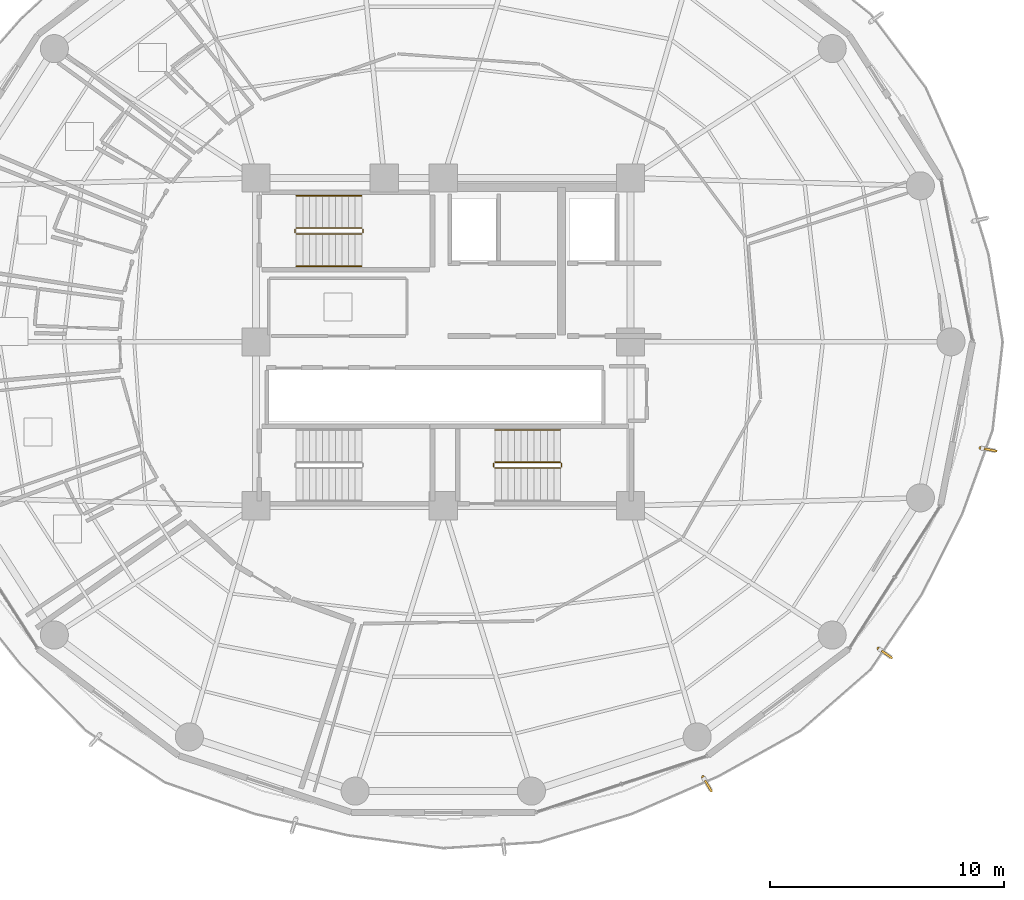
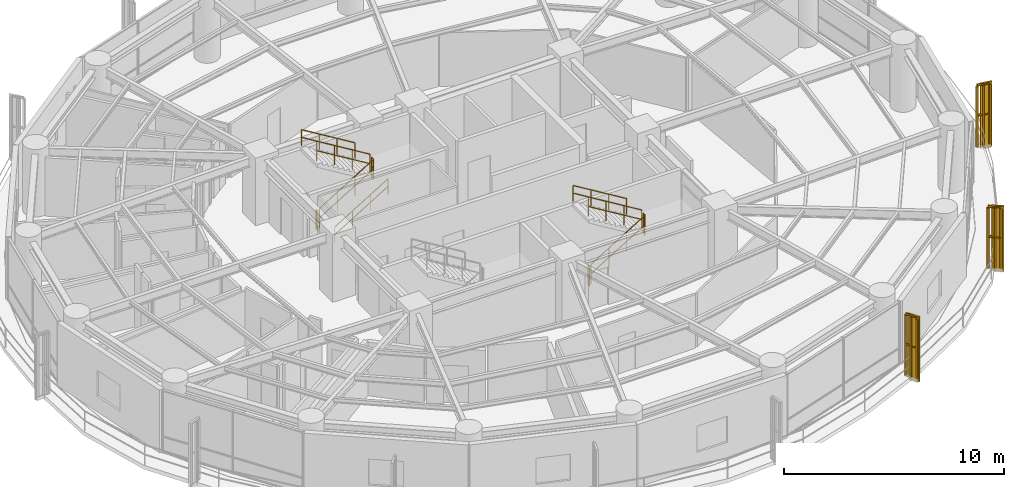
# One storey, part 26 of 27: 14 railings, 3 shading devices.
"""IFC4 building model written with IfcOpenShell, lengths in metres."""

from ifc_helpers import new_model, si_unit, direction, frame, origin, origin_2d, place, context, subcontext, project, spatial, polyline, rectangle, outline, extrude, source, transform, mapped, material, type_object, element, save


model = new_model("IFC4")

# Units and contexts
model_context = context("Model", 3, precision=1e-05, world=origin(), true_north=direction((0.0, 1.0)))
body_context = subcontext(model_context, "Body", "Model", "MODEL_VIEW")
ifc_project = project(units=[si_unit("LENGTHUNIT", "METRE"), si_unit("AREAUNIT", "SQUARE_METRE"), si_unit("VOLUMEUNIT", "CUBIC_METRE"), si_unit("PLANEANGLEUNIT", "RADIAN"), si_unit("MASSUNIT", "GRAM", prefix="KILO")], contexts=[model_context])

# Site, building, storey
site_placement = place(None, origin())
site = spatial("IfcSite", under=ifc_project, at=site_placement, CompositionType="ELEMENT")
building_placement = place(site_placement, origin())
building = spatial("IfcBuilding", under=site, at=building_placement, Name="Kelanora Arch Commons", CompositionType="ELEMENT")
storey_placement = place(building_placement, frame((0.0, 0.0, 169.35009765625)))
storey = spatial("IfcBuildingStorey", under=building, at=storey_placement, Name="L43", CompositionType="ELEMENT", Elevation=169.35009765625)

# Railings
ifc_material_1 = material(Name="Anodised bronze vertical shading fin rib assembly")
railing_type_1 = type_object("IfcRailingType", Name="RAIL-FIN-BRZ", PredefinedType="BALUSTRADE", material=ifc_material_1)
railing_1_placement = place(storey_placement, frame((96.9453125, 53.467529296875, -0.02001953125)))
element("IfcRailing", 1, at=railing_1_placement, inside=storey, type_object=railing_type_1, Name="Sweeping Bronze Vertical Fin Blade L43-00", PredefinedType="BALUSTRADE", context=body_context, shape_type="SweptSolid", body=[
    extrude(outline(polyline([(0.06982421875, 0.0), (0.034912109375, 0.060546875), (-0.034912109375, 0.060546875), (-0.06982421875, 0.0), (-0.034912109375, -0.060546875), (0.034912109375, -0.060546875), (0.06982421875, 0.0)])), frame((0.0, 0.0, 3.419921875), z_axis=(0.981019679847, -0.193908194136, 0.0), x_axis=(0.193908194136, 0.981019679847, 0.0)), (0.0, 0.0, 1.0), 0.595458984375),
    extrude(outline(polyline([(0.06982421875, 0.0), (0.034912109375, 0.060546875), (-0.034912109375, 0.060546875), (-0.06982421875, 0.0), (-0.034912109375, -0.060546875), (0.034912109375, -0.060546875), (0.06982421875, 0.0)])), frame((0.0, 0.0, 1.7451171875), z_axis=(0.981019679847, -0.193908194136, 0.0), x_axis=(0.193908194136, 0.981019679847, 0.0)), (0.0, 0.0, 1.0), 0.595458984375),
    extrude(outline(polyline([(0.080078125, 0.0), (0.0400390625, 0.0693359375), (-0.0400390625, 0.0693359375), (-0.080078125, 0.0), (-0.0400390625, -0.0693359375), (0.0400390625, -0.0693359375), (0.080078125, 0.0)])), origin(), (0.0, 0.0, 1.0), 3.35009765625),
    extrude(outline(polyline([(0.080078125, 0.0), (0.0400390625, 0.0693359375), (-0.0400390625, 0.0693359375), (-0.080078125, 0.0), (-0.0400390625, -0.0693359375), (0.0400390625, -0.0693359375), (0.080078125, 0.0)])), frame((0.2919921875, -0.0576171875, 0.0)), (0.0, 0.0, 1.0), 3.35009765625),
    extrude(outline(polyline([(0.080078125, 0.0), (0.0400390625, 0.0693359375), (-0.0400390625, 0.0693359375), (-0.080078125, 0.0), (-0.0400390625, -0.0693359375), (0.0400390625, -0.0693359375), (0.080078125, 0.0)])), frame((0.584228515625, -0.115478515625, 0.0)), (0.0, 0.0, 1.0), 3.35009765625),
])
railing_2_placement = place(storey_placement, frame((85.09619140625, 39.4052734375, -0.02001953125)))
element("IfcRailing", 2, at=railing_2_placement, inside=storey, type_object=railing_type_1, Name="Sweeping Bronze Vertical Fin Blade L43-13", PredefinedType="BALUSTRADE", context=body_context, shape_type="SweptSolid", body=[
    extrude(outline(polyline([(0.06982421875, 0.0), (0.034912109375, 0.060546875), (-0.034912109375, 0.060546875), (-0.06982421875, 0.0), (-0.034912109375, -0.060546875), (0.034912109375, -0.060546875), (0.06982421875, 0.0)])), frame((0.0, 0.0, 3.419921875), z_axis=(0.512384380059, -0.85875622098, 0.0), x_axis=(0.85875622098, 0.512384380059, 0.0)), (0.0, 0.0, 1.0), 0.595703125),
    extrude(outline(polyline([(0.06982421875, 0.0), (0.034912109375, 0.060546875), (-0.034912109375, 0.060546875), (-0.06982421875, 0.0), (-0.034912109375, -0.060546875), (0.034912109375, -0.060546875), (0.06982421875, 0.0)])), frame((0.0, 0.0, 1.7451171875), z_axis=(0.512384380059, -0.85875622098, 0.0), x_axis=(0.85875622098, 0.512384380059, 0.0)), (0.0, 0.0, 1.0), 0.595703125),
    extrude(outline(polyline([(0.080078125, 0.0), (0.0400390625, 0.0693359375), (-0.0400390625, 0.0693359375), (-0.080078125, 0.0), (-0.0400390625, -0.0693359375), (0.0400390625, -0.0693359375), (0.080078125, 0.0)])), origin(), (0.0, 0.0, 1.0), 3.35009765625),
    extrude(outline(polyline([(0.080078125, 0.0), (0.0400390625, 0.0693359375), (-0.0400390625, 0.0693359375), (-0.080078125, 0.0), (-0.0400390625, -0.0693359375), (0.0400390625, -0.0693359375), (0.080078125, 0.0)])), frame((0.152587890625, -0.255859375, 0.0)), (0.0, 0.0, 1.0), 3.35009765625),
    extrude(outline(polyline([(0.080078125, 0.0), (0.0400390625, 0.0693359375), (-0.0400390625, 0.0693359375), (-0.080078125, 0.0), (-0.0400390625, -0.0693359375), (0.0400390625, -0.0693359375), (0.080078125, 0.0)])), frame((0.30517578125, -0.511474609375, 0.0)), (0.0, 0.0, 1.0), 3.35009765625),
])
railing_3_placement = place(storey_placement, frame((92.588134765625, 44.900146484375, -0.02001953125)))
element("IfcRailing", 3, at=railing_3_placement, inside=storey, type_object=railing_type_1, Name="Sweeping Bronze Vertical Fin Blade L43-14", PredefinedType="BALUSTRADE", context=body_context, shape_type="SweptSolid", body=[
    extrude(outline(polyline([(0.06982421875, 0.0), (0.034912109375, 0.060546875), (-0.034912109375, 0.060546875), (-0.06982421875, 0.0), (-0.034912109375, -0.060546875), (0.034912109375, -0.060546875), (0.06982421875, 0.0)])), frame((0.0, 0.0, 3.419921875), z_axis=(0.817320032898, -0.576183966996, 0.0), x_axis=(0.576183966996, 0.817320032898, 0.0)), (0.0, 0.0, 1.0), 0.59521484375),
    extrude(outline(polyline([(0.06982421875, 0.0), (0.034912109375, 0.060546875), (-0.034912109375, 0.060546875), (-0.06982421875, 0.0), (-0.034912109375, -0.060546875), (0.034912109375, -0.060546875), (0.06982421875, 0.0)])), frame((0.0, 0.0, 1.7451171875), z_axis=(0.817320032898, -0.576183966996, 0.0), x_axis=(0.576183966996, 0.817320032898, 0.0)), (0.0, 0.0, 1.0), 0.59521484375),
    extrude(outline(polyline([(0.080078125, 0.0), (0.0400390625, 0.0693359375), (-0.0400390625, 0.0693359375), (-0.080078125, 0.0), (-0.0400390625, -0.0693359375), (0.0400390625, -0.0693359375), (0.080078125, 0.0)])), origin(), (0.0, 0.0, 1.0), 3.35009765625),
    extrude(outline(polyline([(0.080078125, 0.0), (0.0400390625, 0.0693359375), (-0.0400390625, 0.0693359375), (-0.080078125, 0.0), (-0.0400390625, -0.0693359375), (0.0400390625, -0.0693359375), (0.080078125, 0.0)])), frame((0.2431640625, -0.17138671875, 0.0)), (0.0, 0.0, 1.0), 3.35009765625),
    extrude(outline(polyline([(0.080078125, 0.0), (0.0400390625, 0.0693359375), (-0.0400390625, 0.0693359375), (-0.080078125, 0.0), (-0.0400390625, -0.0693359375), (0.0400390625, -0.0693359375), (0.080078125, 0.0)])), frame((0.486572265625, -0.343017578125, 0.0)), (0.0, 0.0, 1.0), 3.35009765625),
])
ifc_material_2 = material(Name="Painted steel stair well guard", Category="steel")
railing_type_2 = type_object("IfcRailingType", Name="RAIL-STAIR-GRD", PredefinedType="GUARDRAIL", material=ifc_material_2)
railing_4_placement = place(storey_placement, frame((67.719970703125, 62.610107421875, 0.17041015625)))
element("IfcRailing", 4, at=railing_4_placement, inside=storey, type_object=railing_type_2, Name="L43 ST-T1 stair guard 1", PredefinedType="GUARDRAIL", context=body_context, shape_type="SweptSolid", body=[
    extrude(outline(polyline([(0.02392578125, 0.0), (0.011962890625, 0.020751953125), (-0.011962890625, 0.020751953125), (-0.02392578125, 0.0), (-0.011962890625, -0.020751953125), (0.011962890625, -0.020751953125), (0.02392578125, 0.0)])), frame((0.0, 0.0, 1.076171875), z_axis=(0.854169791009, 0.0, 0.51999420009), x_axis=(0.0, 1.0, 0.0)), (0.0, 0.0, 1.0), 3.278076171875),
    extrude(outline(polyline([(0.02392578125, 0.0), (0.011962890625, 0.020751953125), (-0.011962890625, 0.020751953125), (-0.02392578125, 0.0), (-0.011962890625, -0.020751953125), (0.011962890625, -0.020751953125), (0.02392578125, 0.0)])), frame((0.0, 0.0, 0.550048828125), z_axis=(0.854169791009, 0.0, 0.51999420009), x_axis=(0.0, 1.0, 0.0)), (0.0, 0.0, 1.0), 3.278076171875),
    extrude(outline(polyline([(0.02099609375, 0.0), (0.010498046875, 0.01806640625), (-0.010498046875, 0.01806640625), (-0.02099609375, 0.0), (-0.010498046875, -0.01806640625), (0.010498046875, -0.01806640625), (0.02099609375, 0.0)])), origin(), (0.0, 0.0, 1.0), 1.052001953125),
    extrude(outline(polyline([(0.02099609375, 0.0), (0.010498046875, 0.01806640625), (-0.010498046875, 0.01806640625), (-0.02099609375, 0.0), (-0.010498046875, -0.01806640625), (0.010498046875, -0.01806640625), (0.02099609375, 0.0)])), frame((0.933349609375, 0.0, 0.568115234375)), (0.0, 0.0, 1.0), 1.052001953125),
    extrude(outline(polyline([(0.02099609375, 0.0), (0.010498046875, 0.01806640625), (-0.010498046875, 0.01806640625), (-0.02099609375, 0.0), (-0.010498046875, -0.01806640625), (0.010498046875, -0.01806640625), (0.02099609375, 0.0)])), frame((1.86669921875, 0.0, 1.136474609375)), (0.0, 0.0, 1.0), 1.052001953125),
    extrude(outline(polyline([(0.02099609375, 0.0), (0.010498046875, 0.01806640625), (-0.010498046875, 0.01806640625), (-0.02099609375, 0.0), (-0.010498046875, -0.01806640625), (0.010498046875, -0.01806640625), (0.02099609375, 0.0)])), frame((2.800048828125, 0.0, 1.70458984375)), (0.0, 0.0, 1.0), 1.052001953125),
])
railing_5_placement = place(storey_placement, frame((70.570068359375, 62.659912109375, 1.875)))
element("IfcRailing", 5, at=railing_5_placement, inside=storey, type_object=railing_type_2, Name="L43 ST-T1 stair guard 2", PredefinedType="GUARDRAIL", context=body_context, shape_type="SweptSolid", body=[
    extrude(outline(polyline([(0.02392578125, 0.0), (0.011962890625, 0.020751953125), (-0.011962890625, 0.020751953125), (-0.02392578125, 0.0), (-0.011962890625, -0.020751953125), (0.011962890625, -0.020751953125), (0.02392578125, 0.0)])), frame((0.0, 0.0, 1.076171875), z_axis=(0.0, 1.0, 0.0), x_axis=(-1.0, 0.0, 0.0)), (0.0, 0.0, 1.0), 0.150146484375),
    extrude(outline(polyline([(0.02392578125, 0.0), (0.011962890625, 0.020751953125), (-0.011962890625, 0.020751953125), (-0.02392578125, 0.0), (-0.011962890625, -0.020751953125), (0.011962890625, -0.020751953125), (0.02392578125, 0.0)])), frame((0.0, 0.0, 0.550048828125), z_axis=(0.0, 1.0, 0.0), x_axis=(-1.0, 0.0, 0.0)), (0.0, 0.0, 1.0), 0.150146484375),
    extrude(outline(polyline([(0.02099609375, 0.0), (0.010498046875, 0.01806640625), (-0.010498046875, 0.01806640625), (-0.02099609375, 0.0), (-0.010498046875, -0.01806640625), (0.010498046875, -0.01806640625), (0.02099609375, 0.0)])), origin(), (0.0, 0.0, 1.0), 1.052001953125),
    extrude(outline(polyline([(0.02099609375, 0.0), (0.010498046875, 0.01806640625), (-0.010498046875, 0.01806640625), (-0.02099609375, 0.0), (-0.010498046875, -0.01806640625), (0.010498046875, -0.01806640625), (0.02099609375, 0.0)])), frame((0.0, 0.150146484375, 0.0)), (0.0, 0.0, 1.0), 1.052001953125),
])
railing_6_placement = place(storey_placement, frame((70.52001953125, 62.860107421875, 2.04541015625)))
element("IfcRailing", 6, at=railing_6_placement, inside=storey, type_object=railing_type_2, Name="L43 ST-T1 stair guard 3", PredefinedType="GUARDRAIL", context=body_context, shape_type="SweptSolid", body=[
    extrude(outline(polyline([(0.02392578125, 0.0), (0.011962890625, 0.020751953125), (-0.011962890625, 0.020751953125), (-0.02392578125, 0.0), (-0.011962890625, -0.020751953125), (0.011962890625, -0.020751953125), (0.02392578125, 0.0)])), frame((0.0, 0.0, 1.076171875), z_axis=(-0.854169791009, 0.0, 0.51999420009), x_axis=(0.0, -1.0, 0.0)), (0.0, 0.0, 1.0), 3.278076171875),
    extrude(outline(polyline([(0.02392578125, 0.0), (0.011962890625, 0.020751953125), (-0.011962890625, 0.020751953125), (-0.02392578125, 0.0), (-0.011962890625, -0.020751953125), (0.011962890625, -0.020751953125), (0.02392578125, 0.0)])), frame((0.0, 0.0, 0.550048828125), z_axis=(-0.854169791009, 0.0, 0.51999420009), x_axis=(0.0, -1.0, 0.0)), (0.0, 0.0, 1.0), 3.278076171875),
    extrude(outline(polyline([(0.02099609375, 0.0), (0.010498046875, 0.01806640625), (-0.010498046875, 0.01806640625), (-0.02099609375, 0.0), (-0.010498046875, -0.01806640625), (0.010498046875, -0.01806640625), (0.02099609375, 0.0)])), origin(), (0.0, 0.0, 1.0), 1.052001953125),
    extrude(outline(polyline([(0.02099609375, 0.0), (0.010498046875, 0.01806640625), (-0.010498046875, 0.01806640625), (-0.02099609375, 0.0), (-0.010498046875, -0.01806640625), (0.010498046875, -0.01806640625), (0.02099609375, 0.0)])), frame((-0.933349609375, 0.0, 0.568115234375)), (0.0, 0.0, 1.0), 1.052001953125),
    extrude(outline(polyline([(0.02099609375, 0.0), (0.010498046875, 0.01806640625), (-0.010498046875, 0.01806640625), (-0.02099609375, 0.0), (-0.010498046875, -0.01806640625), (0.010498046875, -0.01806640625), (0.02099609375, 0.0)])), frame((-1.86669921875, 0.0, 1.136474609375)), (0.0, 0.0, 1.0), 1.052001953125),
    extrude(outline(polyline([(0.02099609375, 0.0), (0.010498046875, 0.01806640625), (-0.010498046875, 0.01806640625), (-0.02099609375, 0.0), (-0.010498046875, -0.01806640625), (0.010498046875, -0.01806640625), (0.02099609375, 0.0)])), frame((-2.800048828125, 0.0, 1.70458984375)), (0.0, 0.0, 1.0), 1.052001953125),
])
railing_7_placement = place(storey_placement, frame((67.669921875, 62.659912109375, 0.0)))
element("IfcRailing", 7, at=railing_7_placement, inside=storey, type_object=railing_type_2, Name="L43 ST-T1 stair guard 4", PredefinedType="GUARDRAIL", context=body_context, shape_type="SweptSolid", body=[
    extrude(outline(polyline([(0.02392578125, 0.0), (0.011962890625, 0.020751953125), (-0.011962890625, 0.020751953125), (-0.02392578125, 0.0), (-0.011962890625, -0.020751953125), (0.011962890625, -0.020751953125), (0.02392578125, 0.0)])), frame((0.0, 0.0, 1.076171875), z_axis=(0.0, 1.0, 0.0), x_axis=(-1.0, 0.0, 0.0)), (0.0, 0.0, 1.0), 0.150146484375),
    extrude(outline(polyline([(0.02392578125, 0.0), (0.011962890625, 0.020751953125), (-0.011962890625, 0.020751953125), (-0.02392578125, 0.0), (-0.011962890625, -0.020751953125), (0.011962890625, -0.020751953125), (0.02392578125, 0.0)])), frame((0.0, 0.0, 0.550048828125), z_axis=(0.0, 1.0, 0.0), x_axis=(-1.0, 0.0, 0.0)), (0.0, 0.0, 1.0), 0.150146484375),
    extrude(outline(polyline([(0.02099609375, 0.0), (0.010498046875, 0.01806640625), (-0.010498046875, 0.01806640625), (-0.02099609375, 0.0), (-0.010498046875, -0.01806640625), (0.010498046875, -0.01806640625), (0.02099609375, 0.0)])), origin(), (0.0, 0.0, 1.0), 1.052001953125),
    extrude(outline(polyline([(0.02099609375, 0.0), (0.010498046875, 0.01806640625), (-0.010498046875, 0.01806640625), (-0.02099609375, 0.0), (-0.010498046875, -0.01806640625), (0.010498046875, -0.01806640625), (0.02099609375, 0.0)])), frame((0.0, 0.150146484375, 0.0)), (0.0, 0.0, 1.0), 1.052001953125),
])
railing_8_placement = place(storey_placement, frame((76.199951171875, 52.610107421875, 0.17041015625)))
element("IfcRailing", 8, at=railing_8_placement, inside=storey, type_object=railing_type_2, Name="L43 ST-T2 stair guard 1", PredefinedType="GUARDRAIL", context=body_context, shape_type="SweptSolid", body=[
    extrude(outline(polyline([(0.02392578125, 0.0), (0.011962890625, 0.020751953125), (-0.011962890625, 0.020751953125), (-0.02392578125, 0.0), (-0.011962890625, -0.020751953125), (0.011962890625, -0.020751953125), (0.02392578125, 0.0)])), frame((0.0, 0.0, 1.076171875), z_axis=(0.854169791009, 0.0, 0.51999420009), x_axis=(0.0, 1.0, 0.0)), (0.0, 0.0, 1.0), 3.278076171875),
    extrude(outline(polyline([(0.02392578125, 0.0), (0.011962890625, 0.020751953125), (-0.011962890625, 0.020751953125), (-0.02392578125, 0.0), (-0.011962890625, -0.020751953125), (0.011962890625, -0.020751953125), (0.02392578125, 0.0)])), frame((0.0, 0.0, 0.550048828125), z_axis=(0.854169791009, 0.0, 0.51999420009), x_axis=(0.0, 1.0, 0.0)), (0.0, 0.0, 1.0), 3.278076171875),
    extrude(outline(polyline([(0.02099609375, 0.0), (0.010498046875, 0.01806640625), (-0.010498046875, 0.01806640625), (-0.02099609375, 0.0), (-0.010498046875, -0.01806640625), (0.010498046875, -0.01806640625), (0.02099609375, 0.0)])), origin(), (0.0, 0.0, 1.0), 1.052001953125),
    extrude(outline(polyline([(0.02099609375, 0.0), (0.010498046875, 0.01806640625), (-0.010498046875, 0.01806640625), (-0.02099609375, 0.0), (-0.010498046875, -0.01806640625), (0.010498046875, -0.01806640625), (0.02099609375, 0.0)])), frame((0.933349609375, 0.0, 0.568115234375)), (0.0, 0.0, 1.0), 1.052001953125),
    extrude(outline(polyline([(0.02099609375, 0.0), (0.010498046875, 0.01806640625), (-0.010498046875, 0.01806640625), (-0.02099609375, 0.0), (-0.010498046875, -0.01806640625), (0.010498046875, -0.01806640625), (0.02099609375, 0.0)])), frame((1.86669921875, 0.0, 1.136474609375)), (0.0, 0.0, 1.0), 1.052001953125),
    extrude(outline(polyline([(0.02099609375, 0.0), (0.010498046875, 0.01806640625), (-0.010498046875, 0.01806640625), (-0.02099609375, 0.0), (-0.010498046875, -0.01806640625), (0.010498046875, -0.01806640625), (0.02099609375, 0.0)])), frame((2.800048828125, 0.0, 1.70458984375)), (0.0, 0.0, 1.0), 1.052001953125),
])
railing_9_placement = place(storey_placement, frame((79.050048828125, 52.659912109375, 1.875)))
element("IfcRailing", 9, at=railing_9_placement, inside=storey, type_object=railing_type_2, Name="L43 ST-T2 stair guard 2", PredefinedType="GUARDRAIL", context=body_context, shape_type="SweptSolid", body=[
    extrude(outline(polyline([(0.02392578125, 0.0), (0.011962890625, 0.020751953125), (-0.011962890625, 0.020751953125), (-0.02392578125, 0.0), (-0.011962890625, -0.020751953125), (0.011962890625, -0.020751953125), (0.02392578125, 0.0)])), frame((0.0, 0.0, 1.076171875), z_axis=(0.0, 1.0, 0.0), x_axis=(-1.0, 0.0, 0.0)), (0.0, 0.0, 1.0), 0.150146484375),
    extrude(outline(polyline([(0.02392578125, 0.0), (0.011962890625, 0.020751953125), (-0.011962890625, 0.020751953125), (-0.02392578125, 0.0), (-0.011962890625, -0.020751953125), (0.011962890625, -0.020751953125), (0.02392578125, 0.0)])), frame((0.0, 0.0, 0.550048828125), z_axis=(0.0, 1.0, 0.0), x_axis=(-1.0, 0.0, 0.0)), (0.0, 0.0, 1.0), 0.150146484375),
    extrude(outline(polyline([(0.02099609375, 0.0), (0.010498046875, 0.01806640625), (-0.010498046875, 0.01806640625), (-0.02099609375, 0.0), (-0.010498046875, -0.01806640625), (0.010498046875, -0.01806640625), (0.02099609375, 0.0)])), origin(), (0.0, 0.0, 1.0), 1.052001953125),
    extrude(outline(polyline([(0.02099609375, 0.0), (0.010498046875, 0.01806640625), (-0.010498046875, 0.01806640625), (-0.02099609375, 0.0), (-0.010498046875, -0.01806640625), (0.010498046875, -0.01806640625), (0.02099609375, 0.0)])), frame((0.0, 0.150146484375, 0.0)), (0.0, 0.0, 1.0), 1.052001953125),
])
railing_10_placement = place(storey_placement, frame((79.0, 52.860107421875, 2.04541015625)))
element("IfcRailing", 10, at=railing_10_placement, inside=storey, type_object=railing_type_2, Name="L43 ST-T2 stair guard 3", PredefinedType="GUARDRAIL", context=body_context, shape_type="SweptSolid", body=[
    extrude(outline(polyline([(0.02392578125, 0.0), (0.011962890625, 0.020751953125), (-0.011962890625, 0.020751953125), (-0.02392578125, 0.0), (-0.011962890625, -0.020751953125), (0.011962890625, -0.020751953125), (0.02392578125, 0.0)])), frame((0.0, 0.0, 1.076171875), z_axis=(-0.854169791009, 0.0, 0.51999420009), x_axis=(0.0, -1.0, 0.0)), (0.0, 0.0, 1.0), 3.278076171875),
    extrude(outline(polyline([(0.02392578125, 0.0), (0.011962890625, 0.020751953125), (-0.011962890625, 0.020751953125), (-0.02392578125, 0.0), (-0.011962890625, -0.020751953125), (0.011962890625, -0.020751953125), (0.02392578125, 0.0)])), frame((0.0, 0.0, 0.550048828125), z_axis=(-0.854169791009, 0.0, 0.51999420009), x_axis=(0.0, -1.0, 0.0)), (0.0, 0.0, 1.0), 3.278076171875),
    extrude(outline(polyline([(0.02099609375, 0.0), (0.010498046875, 0.01806640625), (-0.010498046875, 0.01806640625), (-0.02099609375, 0.0), (-0.010498046875, -0.01806640625), (0.010498046875, -0.01806640625), (0.02099609375, 0.0)])), origin(), (0.0, 0.0, 1.0), 1.052001953125),
    extrude(outline(polyline([(0.02099609375, 0.0), (0.010498046875, 0.01806640625), (-0.010498046875, 0.01806640625), (-0.02099609375, 0.0), (-0.010498046875, -0.01806640625), (0.010498046875, -0.01806640625), (0.02099609375, 0.0)])), frame((-0.933349609375, 0.0, 0.568115234375)), (0.0, 0.0, 1.0), 1.052001953125),
    extrude(outline(polyline([(0.02099609375, 0.0), (0.010498046875, 0.01806640625), (-0.010498046875, 0.01806640625), (-0.02099609375, 0.0), (-0.010498046875, -0.01806640625), (0.010498046875, -0.01806640625), (0.02099609375, 0.0)])), frame((-1.86669921875, 0.0, 1.136474609375)), (0.0, 0.0, 1.0), 1.052001953125),
    extrude(outline(polyline([(0.02099609375, 0.0), (0.010498046875, 0.01806640625), (-0.010498046875, 0.01806640625), (-0.02099609375, 0.0), (-0.010498046875, -0.01806640625), (0.010498046875, -0.01806640625), (0.02099609375, 0.0)])), frame((-2.800048828125, 0.0, 1.70458984375)), (0.0, 0.0, 1.0), 1.052001953125),
])
railing_11_placement = place(storey_placement, frame((76.14990234375, 52.659912109375, 0.0)))
element("IfcRailing", 11, at=railing_11_placement, inside=storey, type_object=railing_type_2, Name="L43 ST-T2 stair guard 4", PredefinedType="GUARDRAIL", context=body_context, shape_type="SweptSolid", body=[
    extrude(outline(polyline([(0.02392578125, 0.0), (0.011962890625, 0.020751953125), (-0.011962890625, 0.020751953125), (-0.02392578125, 0.0), (-0.011962890625, -0.020751953125), (0.011962890625, -0.020751953125), (0.02392578125, 0.0)])), frame((0.0, 0.0, 1.076171875), z_axis=(0.0, 1.0, 0.0), x_axis=(-1.0, 0.0, 0.0)), (0.0, 0.0, 1.0), 0.150146484375),
    extrude(outline(polyline([(0.02392578125, 0.0), (0.011962890625, 0.020751953125), (-0.011962890625, 0.020751953125), (-0.02392578125, 0.0), (-0.011962890625, -0.020751953125), (0.011962890625, -0.020751953125), (0.02392578125, 0.0)])), frame((0.0, 0.0, 0.550048828125), z_axis=(0.0, 1.0, 0.0), x_axis=(-1.0, 0.0, 0.0)), (0.0, 0.0, 1.0), 0.150146484375),
    extrude(outline(polyline([(0.02099609375, 0.0), (0.010498046875, 0.01806640625), (-0.010498046875, 0.01806640625), (-0.02099609375, 0.0), (-0.010498046875, -0.01806640625), (0.010498046875, -0.01806640625), (0.02099609375, 0.0)])), origin(), (0.0, 0.0, 1.0), 1.052001953125),
    extrude(outline(polyline([(0.02099609375, 0.0), (0.010498046875, 0.01806640625), (-0.010498046875, 0.01806640625), (-0.02099609375, 0.0), (-0.010498046875, -0.01806640625), (0.010498046875, -0.01806640625), (0.02099609375, 0.0)])), frame((0.0, 0.150146484375, 0.0)), (0.0, 0.0, 1.0), 1.052001953125),
])
ifc_material_3 = material(Name="Brushed stainless steel stair handrail", Category="steel")
railing_type_3 = type_object("IfcRailingType", Name="RAIL-STAIR-HND", PredefinedType="HANDRAIL", material=ifc_material_3)
railing_12_placement = place(storey_placement, frame((67.719970703125, 61.22998046875, 0.17041015625)))
element("IfcRailing", 12, at=railing_12_placement, inside=storey, type_object=railing_type_3, Name="L43 ST-T1 stair handrail 1", PredefinedType="HANDRAIL", context=body_context, shape_type="SweptSolid", body=[
    extrude(outline(polyline([(0.02392578125, 0.0), (0.011962890625, 0.020751953125), (-0.011962890625, 0.020751953125), (-0.02392578125, 0.0), (-0.011962890625, -0.020751953125), (0.011962890625, -0.020751953125), (0.02392578125, 0.0)])), frame((0.0, 0.0, 0.8759765625), z_axis=(0.854169791009, 0.0, 0.51999420009), x_axis=(0.0, 1.0, 0.0)), (0.0, 0.0, 1.0), 3.278076171875),
    extrude(outline(polyline([(0.02392578125, 0.0), (0.011962890625, 0.020751953125), (-0.011962890625, 0.020751953125), (-0.02392578125, 0.0), (-0.011962890625, -0.020751953125), (0.011962890625, -0.020751953125), (0.02392578125, 0.0)])), frame((0.0, 0.0, 0.449951171875), z_axis=(0.854169791009, 0.0, 0.51999420009), x_axis=(0.0, 1.0, 0.0)), (0.0, 0.0, 1.0), 3.278076171875),
    extrude(outline(polyline([(0.02099609375, 0.0), (0.010498046875, 0.01806640625), (-0.010498046875, 0.01806640625), (-0.02099609375, 0.0), (-0.010498046875, -0.01806640625), (0.010498046875, -0.01806640625), (0.02099609375, 0.0)])), origin(), (0.0, 0.0, 1.0), 0.851806640625),
    extrude(outline(polyline([(0.02099609375, 0.0), (0.010498046875, 0.01806640625), (-0.010498046875, 0.01806640625), (-0.02099609375, 0.0), (-0.010498046875, -0.01806640625), (0.010498046875, -0.01806640625), (0.02099609375, 0.0)])), frame((0.933349609375, 0.0, 0.568115234375)), (0.0, 0.0, 1.0), 0.851806640625),
    extrude(outline(polyline([(0.02099609375, 0.0), (0.010498046875, 0.01806640625), (-0.010498046875, 0.01806640625), (-0.02099609375, 0.0), (-0.010498046875, -0.01806640625), (0.010498046875, -0.01806640625), (0.02099609375, 0.0)])), frame((1.86669921875, 0.0, 1.136474609375)), (0.0, 0.0, 1.0), 0.851806640625),
    extrude(outline(polyline([(0.02099609375, 0.0), (0.010498046875, 0.01806640625), (-0.010498046875, 0.01806640625), (-0.02099609375, 0.0), (-0.010498046875, -0.01806640625), (0.010498046875, -0.01806640625), (0.02099609375, 0.0)])), frame((2.800048828125, 0.0, 1.70458984375)), (0.0, 0.0, 1.0), 0.851806640625),
])
railing_13_placement = place(storey_placement, frame((70.52001953125, 64.239990234375, 2.04541015625)))
element("IfcRailing", 13, at=railing_13_placement, inside=storey, type_object=railing_type_3, Name="L43 ST-T1 stair handrail 2", PredefinedType="HANDRAIL", context=body_context, shape_type="SweptSolid", body=[
    extrude(outline(polyline([(0.02392578125, 0.0), (0.011962890625, 0.020751953125), (-0.011962890625, 0.020751953125), (-0.02392578125, 0.0), (-0.011962890625, -0.020751953125), (0.011962890625, -0.020751953125), (0.02392578125, 0.0)])), frame((0.0, 0.0, 0.8759765625), z_axis=(-0.854169791009, 0.0, 0.51999420009), x_axis=(0.0, -1.0, 0.0)), (0.0, 0.0, 1.0), 3.278076171875),
    extrude(outline(polyline([(0.02392578125, 0.0), (0.011962890625, 0.020751953125), (-0.011962890625, 0.020751953125), (-0.02392578125, 0.0), (-0.011962890625, -0.020751953125), (0.011962890625, -0.020751953125), (0.02392578125, 0.0)])), frame((0.0, 0.0, 0.449951171875), z_axis=(-0.854169791009, 0.0, 0.51999420009), x_axis=(0.0, -1.0, 0.0)), (0.0, 0.0, 1.0), 3.278076171875),
    extrude(outline(polyline([(0.02099609375, 0.0), (0.010498046875, 0.01806640625), (-0.010498046875, 0.01806640625), (-0.02099609375, 0.0), (-0.010498046875, -0.01806640625), (0.010498046875, -0.01806640625), (0.02099609375, 0.0)])), origin(), (0.0, 0.0, 1.0), 0.851806640625),
    extrude(outline(polyline([(0.02099609375, 0.0), (0.010498046875, 0.01806640625), (-0.010498046875, 0.01806640625), (-0.02099609375, 0.0), (-0.010498046875, -0.01806640625), (0.010498046875, -0.01806640625), (0.02099609375, 0.0)])), frame((-0.933349609375, 0.0, 0.568115234375)), (0.0, 0.0, 1.0), 0.851806640625),
    extrude(outline(polyline([(0.02099609375, 0.0), (0.010498046875, 0.01806640625), (-0.010498046875, 0.01806640625), (-0.02099609375, 0.0), (-0.010498046875, -0.01806640625), (0.010498046875, -0.01806640625), (0.02099609375, 0.0)])), frame((-1.86669921875, 0.0, 1.136474609375)), (0.0, 0.0, 1.0), 0.851806640625),
    extrude(outline(polyline([(0.02099609375, 0.0), (0.010498046875, 0.01806640625), (-0.010498046875, 0.01806640625), (-0.02099609375, 0.0), (-0.010498046875, -0.01806640625), (0.010498046875, -0.01806640625), (0.02099609375, 0.0)])), frame((-2.800048828125, 0.0, 1.70458984375)), (0.0, 0.0, 1.0), 0.851806640625),
])
railing_14_placement = place(storey_placement, frame((79.0, 54.239990234375, 2.04541015625)))
element("IfcRailing", 14, at=railing_14_placement, inside=storey, type_object=railing_type_3, Name="L43 ST-T2 stair handrail 2", PredefinedType="HANDRAIL", context=body_context, shape_type="SweptSolid", body=[
    extrude(outline(polyline([(0.02392578125, 0.0), (0.011962890625, 0.020751953125), (-0.011962890625, 0.020751953125), (-0.02392578125, 0.0), (-0.011962890625, -0.020751953125), (0.011962890625, -0.020751953125), (0.02392578125, 0.0)])), frame((0.0, 0.0, 0.8759765625), z_axis=(-0.854169791009, 0.0, 0.51999420009), x_axis=(0.0, -1.0, 0.0)), (0.0, 0.0, 1.0), 3.278076171875),
    extrude(outline(polyline([(0.02392578125, 0.0), (0.011962890625, 0.020751953125), (-0.011962890625, 0.020751953125), (-0.02392578125, 0.0), (-0.011962890625, -0.020751953125), (0.011962890625, -0.020751953125), (0.02392578125, 0.0)])), frame((0.0, 0.0, 0.449951171875), z_axis=(-0.854169791009, 0.0, 0.51999420009), x_axis=(0.0, -1.0, 0.0)), (0.0, 0.0, 1.0), 3.278076171875),
    extrude(outline(polyline([(0.02099609375, 0.0), (0.010498046875, 0.01806640625), (-0.010498046875, 0.01806640625), (-0.02099609375, 0.0), (-0.010498046875, -0.01806640625), (0.010498046875, -0.01806640625), (0.02099609375, 0.0)])), origin(), (0.0, 0.0, 1.0), 0.851806640625),
    extrude(outline(polyline([(0.02099609375, 0.0), (0.010498046875, 0.01806640625), (-0.010498046875, 0.01806640625), (-0.02099609375, 0.0), (-0.010498046875, -0.01806640625), (0.010498046875, -0.01806640625), (0.02099609375, 0.0)])), frame((-0.933349609375, 0.0, 0.568115234375)), (0.0, 0.0, 1.0), 0.851806640625),
    extrude(outline(polyline([(0.02099609375, 0.0), (0.010498046875, 0.01806640625), (-0.010498046875, 0.01806640625), (-0.02099609375, 0.0), (-0.010498046875, -0.01806640625), (0.010498046875, -0.01806640625), (0.02099609375, 0.0)])), frame((-1.86669921875, 0.0, 1.136474609375)), (0.0, 0.0, 1.0), 0.851806640625),
    extrude(outline(polyline([(0.02099609375, 0.0), (0.010498046875, 0.01806640625), (-0.010498046875, 0.01806640625), (-0.02099609375, 0.0), (-0.010498046875, -0.01806640625), (0.010498046875, -0.01806640625), (0.02099609375, 0.0)])), frame((-2.800048828125, 0.0, 1.70458984375)), (0.0, 0.0, 1.0), 0.851806640625),
])

# Shading devices
ifc_material_4 = material(Name="Terracotta ceramic-clad extruded aluminium fin", Category="masonry")
shading_device_type = type_object("IfcShadingDeviceType", Name="SHD-FIN-WAIST", PredefinedType="USERDEFINED", material=ifc_material_4)
shared_shape = source(origin(), body_context, "Body", "SweptSolid", [
    extrude(rectangle(XDim=0.56005859375, YDim=0.090087890625, at=origin_2d()), origin(), (0.0, 0.0, 1.0), 3.610107421875),
])
for number, where, z_axis, x_axis, name in (
    (15, (97.374755859375, 53.3828125, -0.14013671875), (0.0, 0.0, 1.0), (0.981056721746, -0.1937206977, 0.0), "Sweeping Terracotta Fin L43-00"),
    (16, (85.320556640625, 39.029296875, -0.14013671875), (0.0, 0.0, 1.0), (0.512492545011, -0.858691674181, 0.0), "Sweeping Terracotta Fin L43-13"),
    (17, (92.94580078125, 44.64794921875, -0.14013671875), (0.0, 0.0, 1.0), (0.817446605564, -0.576004381105, 0.0), "Sweeping Terracotta Fin L43-14"),
):
    element("IfcShadingDevice", number, at=place(storey_placement, frame(where, z_axis=z_axis, x_axis=x_axis)), inside=storey, type_object=shading_device_type, Name=name, ObjectType="FIN", PredefinedType="USERDEFINED", context=body_context, shape_type="MappedRepresentation", body=[
        mapped(shared_shape, transform((0.0, 0.0, 0.0), scale=1.0)),
    ])

save(model, "model.ifc")
